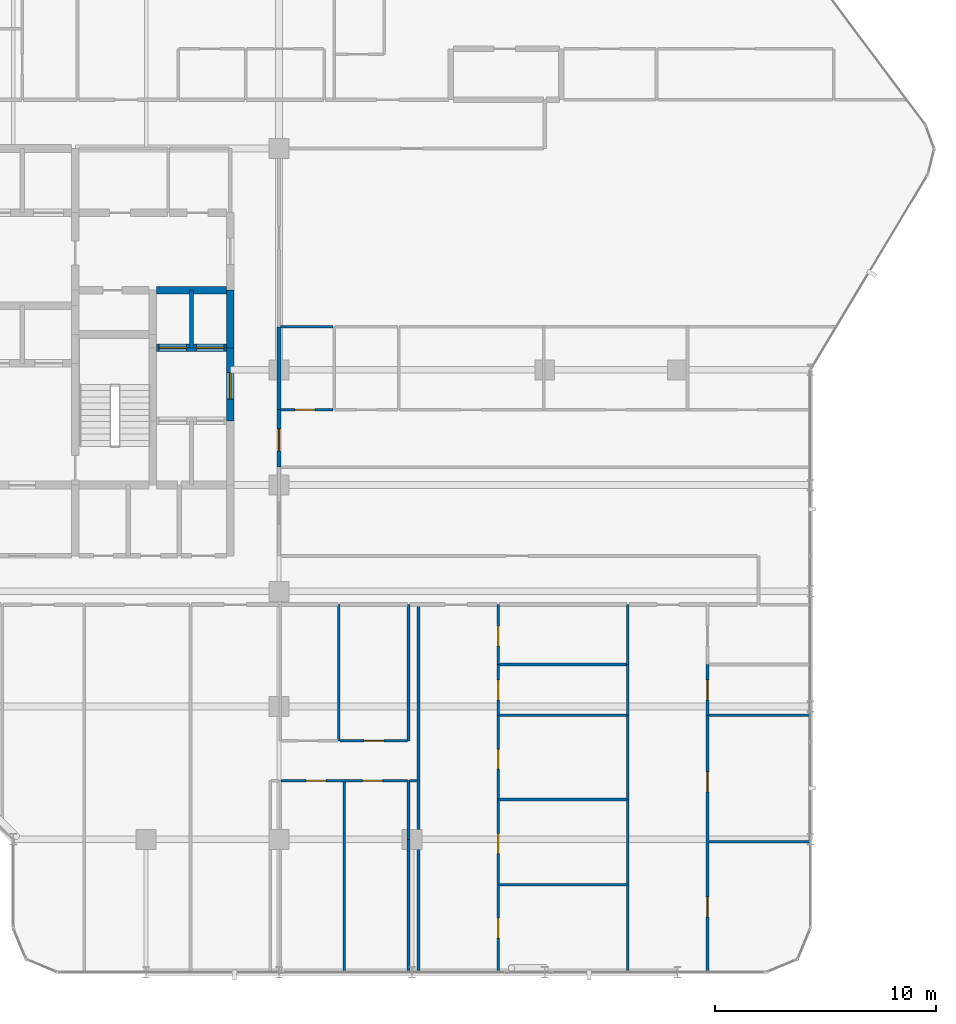
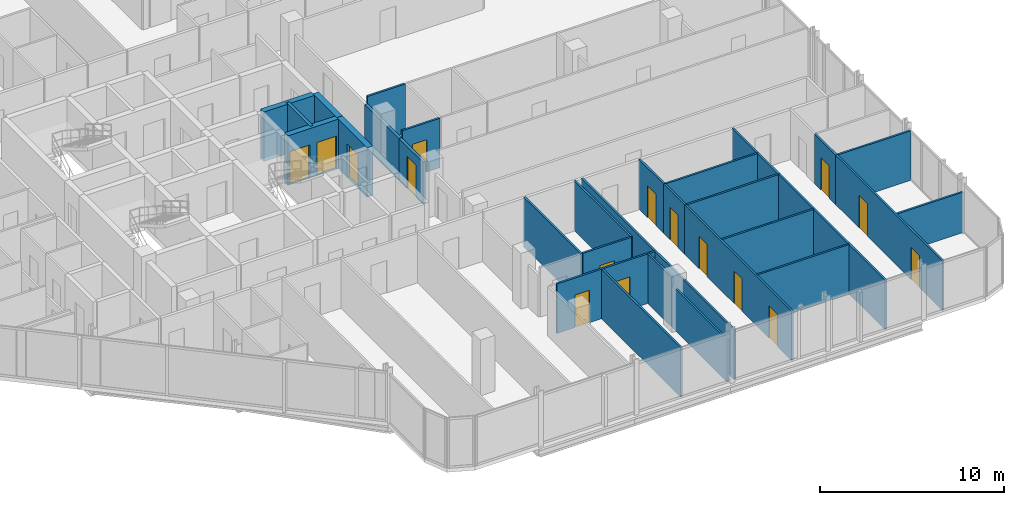
# One storey, part 27 of 31: 32 walls, 16 doors, 16 openings.
"""IFC4 building model written with IfcOpenShell, lengths in metres."""

from ifc_helpers import new_model, si_unit, direction, frame, frame_2d, origin, place, context, subcontext, project, spatial, rectangle, extrude, material, layer, layer_set, type_object, element, fill, save


model = new_model("IFC4")

# Units and contexts
model_context = context("Model", 3, precision=1e-05, world=origin(), true_north=direction((0.0, 1.0)))
body_context = subcontext(model_context, "Body", "Model", "MODEL_VIEW")
ifc_project = project(units=[si_unit("LENGTHUNIT", "METRE"), si_unit("AREAUNIT", "SQUARE_METRE"), si_unit("VOLUMEUNIT", "CUBIC_METRE"), si_unit("PLANEANGLEUNIT", "RADIAN"), si_unit("MASSUNIT", "GRAM", prefix="KILO")], contexts=[model_context])

# Site, building, storey
site_placement = place(None, origin())
site = spatial("IfcSite", under=ifc_project, at=site_placement, CompositionType="ELEMENT")
building_placement = place(site_placement, origin())
building = spatial("IfcBuilding", under=site, at=building_placement, Name="Keshet Zoharim Tower", CompositionType="ELEMENT")
storey_placement = place(building_placement, frame((0.0, 0.0, 155.699951171875)))
storey = spatial("IfcBuildingStorey", under=building, at=storey_placement, Name="L38", CompositionType="ELEMENT", Elevation=155.699951171875)

# Wall, opening, door
ifc_material_1 = material(Name="Concrete C60/75", Category="concrete")
ifc_layer_1 = layer(ifc_material_1, 0.35009765625)
ifc_layer_set_1 = layer_set([ifc_layer_1], Name="Concrete C60/75")
wall_type_1 = type_object("IfcWallType", Name="WL-CORE-350", PredefinedType="SHEAR", material=ifc_layer_set_1)
wall_1_placement = place(storey_placement, frame((30.800048828125, 25.60009765625, 0.0), z_axis=(0.0, 0.0, 1.0), x_axis=(0.0, 1.0, 0.0)))
wall_1 = element("IfcWall", 1, at=wall_1_placement, inside=storey, type_object=wall_type_1, Name="L38 Core Shear Wall 057", PredefinedType="SHEAR", context=body_context, shape_type="SweptSolid", body=[
    extrude(rectangle(XDim=3.2998046875, YDim=0.35009765625, at=frame_2d((1.64990234375, 0.0))), origin(), (0.0, 0.0, 1.0), 3.280029296875),
])
opening_1_placement = place(wall_1_placement, frame((0.97802734375, 0.0, 0.0)))
opening_1 = element("IfcOpeningElement", 2, at=opening_1_placement, cuts=wall_1, Name="Opening D-F612", PredefinedType="OPENING", context=body_context, shape_type="SweptSolid", body=[
    extrude(rectangle(XDim=1.199951171875, YDim=2.199951171875, at=frame_2d((0.60009765625, 1.10009765625))), frame((0.0, 0.18505859375, 0.0), z_axis=(0.0, -1.0, 0.0), x_axis=(1.0, 0.0, 0.0)), (0.0, 0.0, 1.0), 0.3701171875),
])
ifc_material_2 = material(Name="Hardwood Timber", Category="wood")
door_type_1 = type_object("IfcDoorType", Name="DR-FD60-120", OperationType="NOTDEFINED", PredefinedType="DOOR", material=ifc_material_2)
door_1_placement = place(opening_1_placement, origin())
door_1 = element("IfcDoor", 3, at=door_1_placement, inside=storey, type_object=door_type_1, Name="L38 East Lift Lobby Fire Door", OperationType="SINGLE_SWING_LEFT", OverallHeight=2.199951171875, OverallWidth=1.199951171875, PredefinedType="DOOR", context=body_context, shape_type="SweptSolid", body=[
    extrude(rectangle(XDim=1.199951171875, YDim=2.199951171875, at=frame_2d((0.60009765625, 1.10009765625))), frame((0.0, 0.02490234375, 0.0), z_axis=(0.0, -1.0, 0.0), x_axis=(1.0, 0.0, 0.0)), (0.0, 0.0, 1.0), 0.050048828125),
])
fill(opening_1, door_1)

# Wall
wall_2_placement = place(storey_placement, frame((30.800048828125, 28.89990234375, 0.0), z_axis=(0.0, 0.0, 1.0), x_axis=(0.0, 1.0, 0.0)))
element("IfcWall", 4, at=wall_2_placement, inside=storey, type_object=wall_type_1, Name="L38 Core Shear Wall 058", PredefinedType="SHEAR", context=body_context, shape_type="SweptSolid", body=[
    extrude(rectangle(XDim=2.60009765625, YDim=0.35009765625, at=frame_2d((1.300048828125, 0.0))), origin(), (0.0, 0.0, 1.0), 3.280029296875),
])

# Wall, openings, doors
wall_3_placement = place(storey_placement, frame((27.4599609375, 28.89990234375, 0.0), z_axis=(0.0, 0.0, 1.0), x_axis=(1.0, 0.0, 0.0)))
wall_3 = element("IfcWall", 5, at=wall_3_placement, inside=storey, type_object=wall_type_1, Name="L38 Core Shear Wall 163", PredefinedType="SHEAR", context=body_context, shape_type="SweptSolid", body=[
    extrude(rectangle(XDim=3.179931640625, YDim=0.35009765625, at=frame_2d((1.58984375, 0.0))), origin(), (0.0, 0.0, 1.0), 3.280029296875),
])
opening_2_placement = place(wall_3_placement, frame((0.1201171875, 0.0, 0.0)))
opening_2 = element("IfcOpeningElement", 6, at=opening_2_placement, cuts=wall_3, Name="Opening LD-01", PredefinedType="OPENING", context=body_context, shape_type="SweptSolid", body=[
    extrude(rectangle(XDim=1.25, YDim=2.199951171875, at=frame_2d((0.625, 1.10009765625))), frame((0.0, 0.18505859375, 0.0), z_axis=(0.0, -1.0, 0.0), x_axis=(1.0, 0.0, 0.0)), (0.0, 0.0, 1.0), 0.3701171875),
])
opening_3_placement = place(wall_3_placement, frame((1.81005859375, 0.0, 0.0)))
opening_3 = element("IfcOpeningElement", 7, at=opening_3_placement, cuts=wall_3, Name="Opening LD-01", PredefinedType="OPENING", context=body_context, shape_type="SweptSolid", body=[
    extrude(rectangle(XDim=1.25, YDim=2.199951171875, at=frame_2d((0.625, 1.10009765625))), frame((0.0, 0.18505859375, 0.0), z_axis=(0.0, -1.0, 0.0), x_axis=(1.0, 0.0, 0.0)), (0.0, 0.0, 1.0), 0.3701171875),
])
ifc_material_3 = material(Name="Steel S355", Category="steel")
door_type_2 = type_object("IfcDoorType", Name="DR-LD01-125", OperationType="DOUBLE_DOOR_SLIDING", PredefinedType="DOOR", material=ifc_material_3)
door_2_placement = place(opening_2_placement, origin())
door_2 = element("IfcDoor", 8, at=door_2_placement, inside=storey, type_object=door_type_2, Name="L38 Passenger Lift Landing Door LF-05", OperationType="DOUBLE_DOOR_SLIDING", OverallHeight=2.199951171875, OverallWidth=1.25, PredefinedType="DOOR", context=body_context, shape_type="SweptSolid", body=[
    extrude(rectangle(XDim=1.25, YDim=2.199951171875, at=frame_2d((0.625, 1.10009765625))), frame((0.0, 0.02490234375, 0.0), z_axis=(0.0, -1.0, 0.0), x_axis=(1.0, 0.0, 0.0)), (0.0, 0.0, 1.0), 0.050048828125),
])
fill(opening_2, door_2)
door_3_placement = place(opening_3_placement, origin())
door_3 = element("IfcDoor", 9, at=door_3_placement, inside=storey, type_object=door_type_2, Name="L38 Passenger Lift Landing Door LF-06", OperationType="DOUBLE_DOOR_SLIDING", OverallHeight=2.199951171875, OverallWidth=1.25, PredefinedType="DOOR", context=body_context, shape_type="SweptSolid", body=[
    extrude(rectangle(XDim=1.25, YDim=2.199951171875, at=frame_2d((0.625, 1.10009765625))), frame((0.0, 0.02490234375, 0.0), z_axis=(0.0, -1.0, 0.0), x_axis=(1.0, 0.0, 0.0)), (0.0, 0.0, 1.0), 0.050048828125),
])
fill(opening_3, door_3)

# Wall
wall_4_placement = place(storey_placement, frame((27.4599609375, 31.5, 0.0), z_axis=(0.0, 0.0, 1.0), x_axis=(1.0, 0.0, 0.0)))
element("IfcWall", 10, at=wall_4_placement, inside=storey, type_object=wall_type_1, Name="L38 Core Shear Wall 174", PredefinedType="SHEAR", context=body_context, shape_type="SweptSolid", body=[
    extrude(rectangle(XDim=3.179931640625, YDim=0.35009765625, at=frame_2d((1.58984375, 0.0))), origin(), (0.0, 0.0, 1.0), 3.280029296875),
])

# Wall, opening, door
ifc_material_4 = material(Name="Gypsum Plasterboard", Category="gypsum")
ifc_layer_2 = layer(ifc_material_4, 0.179931640625)
ifc_layer_set_2 = layer_set([ifc_layer_2], Name="Gypsum Plasterboard")
wall_type_2 = type_object("IfcWallType", Name="WL-CORR-180", PredefinedType="STANDARD", material=ifc_layer_set_2)
wall_5_placement = place(storey_placement, frame((33.0, 23.52001953125, 0.0), z_axis=(0.0, 0.0, 1.0), x_axis=(0.0, 1.0, 0.0)))
wall_5 = element("IfcWall", 11, at=wall_5_placement, inside=storey, type_object=wall_type_2, Name="L38 Interior Wall 065", PredefinedType="STANDARD", context=body_context, shape_type="SweptSolid", body=[
    extrude(rectangle(XDim=2.60009765625, YDim=0.179931640625, at=frame_2d((1.300048828125, 0.0))), origin(), (0.0, 0.0, 1.0), 2.780029296875),
])
opening_4_placement = place(wall_5_placement, frame((0.722900390625, 0.0, 0.0)))
opening_4 = element("IfcOpeningElement", 12, at=opening_4_placement, cuts=wall_5, Name="Opening D-F310", PredefinedType="OPENING", context=body_context, shape_type="SweptSolid", body=[
    extrude(rectangle(XDim=1.0, YDim=2.14990234375, at=frame_2d((0.5, 1.074951171875))), frame((0.0, 0.10009765625, 0.0), z_axis=(0.0, -1.0, 0.0), x_axis=(1.0, 0.0, 0.0)), (0.0, 0.0, 1.0), 0.199951171875),
])
door_type_3 = type_object("IfcDoorType", Name="DR-FD30-100", OperationType="NOTDEFINED", PredefinedType="DOOR", material=ifc_material_2)
door_4_placement = place(opening_4_placement, origin())
door_4 = element("IfcDoor", 13, at=door_4_placement, inside=storey, type_object=door_type_3, Name="Apartment 3810 Entrance Door", OperationType="SINGLE_SWING_RIGHT", OverallHeight=2.14990234375, OverallWidth=1.0, PredefinedType="DOOR", context=body_context, shape_type="SweptSolid", body=[
    extrude(rectangle(XDim=1.0, YDim=2.14990234375, at=frame_2d((0.5, 1.074951171875))), frame((0.0, 0.02490234375, 0.0), z_axis=(0.0, -1.0, 0.0), x_axis=(1.0, 0.0, 0.0)), (0.0, 0.0, 1.0), 0.050048828125),
])
fill(opening_4, door_4)

# Walls
wall_6_placement = place(storey_placement, frame((33.0, 26.1201171875, 0.0), z_axis=(0.0, 0.0, 1.0), x_axis=(0.0, 1.0, 0.0)))
element("IfcWall", 14, at=wall_6_placement, inside=storey, type_object=wall_type_2, Name="L38 Interior Wall 066", PredefinedType="STANDARD", context=body_context, shape_type="SweptSolid", body=[
    extrude(rectangle(XDim=3.719970703125, YDim=0.179931640625, at=frame_2d((1.85986328125, 0.0))), origin(), (0.0, 0.0, 1.0), 2.780029296875),
])
ifc_material_5 = material(Name="Concrete C50/60", Category="concrete")
ifc_layer_3 = layer(ifc_material_5, 0.199951171875)
ifc_layer_set_3 = layer_set([ifc_layer_3], Name="Concrete C50/60")
wall_type_3 = type_object("IfcWallType", Name="WL-FIRE-200", PredefinedType="STANDARD", material=ifc_layer_set_3)
wall_7_placement = place(storey_placement, frame((29.050048828125, 28.89990234375, 0.0), z_axis=(0.0, 0.0, 1.0), x_axis=(0.0, 1.0, 0.0)))
element("IfcWall", 15, at=wall_7_placement, inside=storey, type_object=wall_type_3, Name="L38 Interior Wall 054", PredefinedType="STANDARD", context=body_context, shape_type="SweptSolid", body=[
    extrude(rectangle(XDim=2.60009765625, YDim=0.199951171875, at=frame_2d((1.300048828125, 0.0))), origin(), (0.0, 0.0, 1.0), 3.280029296875),
])
ifc_layer_4 = layer(ifc_material_4, 0.1201171875)
ifc_layer_set_4 = layer_set([ifc_layer_4], Name="Gypsum Plasterboard")
wall_type_4 = type_object("IfcWallType", Name="WL-PART-120", PredefinedType="PARTITIONING", material=ifc_layer_set_4)
wall_8_placement = place(storey_placement, frame((35.949951171875, 0.7099609375, 0.0), z_axis=(0.0, 0.0, 1.0), x_axis=(0.0, 1.0, 0.0)))
element("IfcWall", 16, at=wall_8_placement, inside=storey, type_object=wall_type_4, Name="L38 Interior Wall 077", PredefinedType="PARTITIONING", context=body_context, shape_type="SweptSolid", body=[
    extrude(rectangle(XDim=8.64013671875, YDim=0.1201171875, at=frame_2d((4.320068359375, 0.0))), origin(), (0.0, 0.0, 1.0), 3.280029296875),
])
wall_9_placement = place(storey_placement, frame((38.85009765625, 0.7099609375, 0.0), z_axis=(0.0, 0.0, 1.0), x_axis=(0.0, 1.0, 0.0)))
element("IfcWall", 17, at=wall_9_placement, inside=storey, type_object=wall_type_4, Name="L38 Interior Wall 081", PredefinedType="PARTITIONING", context=body_context, shape_type="SweptSolid", body=[
    extrude(rectangle(XDim=5.989990234375, YDim=0.1201171875, at=frame_2d((2.9951171875, 0.0))), origin(), (0.0, 0.0, 1.0), 2.780029296875),
])
wall_10_placement = place(storey_placement, frame((39.300048828125, 0.7099609375, 0.0), z_axis=(0.0, 0.0, 1.0), x_axis=(0.0, 1.0, 0.0)))
element("IfcWall", 18, at=wall_10_placement, inside=storey, type_object=wall_type_4, Name="L38 Interior Wall 083", PredefinedType="PARTITIONING", context=body_context, shape_type="SweptSolid", body=[
    extrude(rectangle(XDim=16.590087890625, YDim=0.1201171875, at=frame_2d((8.294921875, 0.0))), origin(), (0.0, 0.0, 1.0), 3.280029296875),
])

# Wall, openings, doors
wall_11_placement = place(storey_placement, frame((42.89990234375, 0.7099609375, 0.0), z_axis=(0.0, 0.0, 1.0), x_axis=(0.0, 1.0, 0.0)))
wall_11 = element("IfcWall", 19, at=wall_11_placement, inside=storey, type_object=wall_type_4, Name="L38 Interior Wall 088", PredefinedType="PARTITIONING", context=body_context, shape_type="SweptSolid", body=[
    extrude(rectangle(XDim=11.590087890625, YDim=0.1201171875, at=frame_2d((5.794921875, 0.0))), origin(), (0.0, 0.0, 1.0), 3.280029296875),
])
opening_5_placement = place(wall_11_placement, frame((1.534912109375, 0.0, 0.0)))
opening_5 = element("IfcOpeningElement", 20, at=opening_5_placement, cuts=wall_11, Name="Opening D-IN90", PredefinedType="OPENING", context=body_context, shape_type="SweptSolid", body=[
    extrude(rectangle(XDim=0.89990234375, YDim=2.14990234375, at=frame_2d((0.449951171875, 1.074951171875))), frame((0.0, 0.070068359375, 0.0), z_axis=(0.0, -1.0, 0.0), x_axis=(1.0, 0.0, 0.0)), (0.0, 0.0, 1.0), 0.14013671875),
])
opening_6_placement = place(wall_11_placement, frame((5.34912109375, 0.0, 0.0)))
opening_6 = element("IfcOpeningElement", 21, at=opening_6_placement, cuts=wall_11, Name="Opening D-IN90", PredefinedType="OPENING", context=body_context, shape_type="SweptSolid", body=[
    extrude(rectangle(XDim=0.89990234375, YDim=2.14990234375, at=frame_2d((0.449951171875, 1.074951171875))), frame((0.0, 0.070068359375, 0.0), z_axis=(0.0, -1.0, 0.0), x_axis=(1.0, 0.0, 0.0)), (0.0, 0.0, 1.0), 0.14013671875),
])
opening_7_placement = place(wall_11_placement, frame((9.158935546875, 0.0, 0.0)))
opening_7 = element("IfcOpeningElement", 22, at=opening_7_placement, cuts=wall_11, Name="Opening D-IN90", PredefinedType="OPENING", context=body_context, shape_type="SweptSolid", body=[
    extrude(rectangle(XDim=0.89990234375, YDim=2.14990234375, at=frame_2d((0.449951171875, 1.074951171875))), frame((0.0, 0.070068359375, 0.0), z_axis=(0.0, -1.0, 0.0), x_axis=(1.0, 0.0, 0.0)), (0.0, 0.0, 1.0), 0.14013671875),
])
door_type_4 = type_object("IfcDoorType", Name="DR-INT-090", OperationType="NOTDEFINED", PredefinedType="DOOR", material=ifc_material_2)
door_5_placement = place(opening_5_placement, origin())
door_5 = element("IfcDoor", 23, at=door_5_placement, inside=storey, type_object=door_type_4, Name="Apartment 3803 Bedroom 1 Door", OperationType="SINGLE_SWING_RIGHT", OverallHeight=2.14990234375, OverallWidth=0.89990234375, PredefinedType="DOOR", context=body_context, shape_type="SweptSolid", body=[
    extrude(rectangle(XDim=0.89990234375, YDim=2.14990234375, at=frame_2d((0.449951171875, 1.074951171875))), frame((0.0, 0.02490234375, 0.0), z_axis=(0.0, -1.0, 0.0), x_axis=(1.0, 0.0, 0.0)), (0.0, 0.0, 1.0), 0.050048828125),
])
fill(opening_5, door_5)
door_6_placement = place(opening_6_placement, origin())
door_6 = element("IfcDoor", 24, at=door_6_placement, inside=storey, type_object=door_type_4, Name="Apartment 3803 Bedroom 2 Door", OperationType="SINGLE_SWING_LEFT", OverallHeight=2.14990234375, OverallWidth=0.89990234375, PredefinedType="DOOR", context=body_context, shape_type="SweptSolid", body=[
    extrude(rectangle(XDim=0.89990234375, YDim=2.14990234375, at=frame_2d((0.449951171875, 1.074951171875))), frame((0.0, 0.02490234375, 0.0), z_axis=(0.0, -1.0, 0.0), x_axis=(1.0, 0.0, 0.0)), (0.0, 0.0, 1.0), 0.050048828125),
])
fill(opening_6, door_6)
door_7_placement = place(opening_7_placement, origin())
door_7 = element("IfcDoor", 25, at=door_7_placement, inside=storey, type_object=door_type_4, Name="Apartment 3803 Bedroom 3 Door", OperationType="SINGLE_SWING_RIGHT", OverallHeight=2.14990234375, OverallWidth=0.89990234375, PredefinedType="DOOR", context=body_context, shape_type="SweptSolid", body=[
    extrude(rectangle(XDim=0.89990234375, YDim=2.14990234375, at=frame_2d((0.449951171875, 1.074951171875))), frame((0.0, 0.02490234375, 0.0), z_axis=(0.0, -1.0, 0.0), x_axis=(1.0, 0.0, 0.0)), (0.0, 0.0, 1.0), 0.050048828125),
])
fill(opening_7, door_7)

# Wall, opening, door
wall_12_placement = place(storey_placement, frame((42.89990234375, 12.300048828125, 0.0), z_axis=(0.0, 0.0, 1.0), x_axis=(0.0, 1.0, 0.0)))
wall_12 = element("IfcWall", 26, at=wall_12_placement, inside=storey, type_object=wall_type_4, Name="L38 Interior Wall 089", PredefinedType="PARTITIONING", context=body_context, shape_type="SweptSolid", body=[
    extrude(rectangle(XDim=2.300048828125, YDim=0.1201171875, at=frame_2d((1.14990234375, 0.0))), origin(), (0.0, 0.0, 1.0), 3.280029296875),
])
opening_8_placement = place(wall_12_placement, frame((0.699951171875, 0.0, 0.0)))
opening_8 = element("IfcOpeningElement", 27, at=opening_8_placement, cuts=wall_12, Name="Opening D-IN90", PredefinedType="OPENING", context=body_context, shape_type="SweptSolid", body=[
    extrude(rectangle(XDim=0.89990234375, YDim=2.14990234375, at=frame_2d((0.449951171875, 1.074951171875))), frame((0.0, 0.070068359375, 0.0), z_axis=(0.0, -1.0, 0.0), x_axis=(1.0, 0.0, 0.0)), (0.0, 0.0, 1.0), 0.14013671875),
])
door_8_placement = place(opening_8_placement, origin())
door_8 = element("IfcDoor", 28, at=door_8_placement, inside=storey, type_object=door_type_4, Name="Apartment 3803 Kitchen Door", OperationType="SINGLE_SWING_LEFT", OverallHeight=2.14990234375, OverallWidth=0.89990234375, PredefinedType="DOOR", context=body_context, shape_type="SweptSolid", body=[
    extrude(rectangle(XDim=0.89990234375, YDim=2.14990234375, at=frame_2d((0.449951171875, 1.074951171875))), frame((0.0, 0.02490234375, 0.0), z_axis=(0.0, -1.0, 0.0), x_axis=(1.0, 0.0, 0.0)), (0.0, 0.0, 1.0), 0.050048828125),
])
fill(opening_8, door_8)

# Walls
wall_13_placement = place(storey_placement, frame((48.75, 0.7099609375, 0.0), z_axis=(0.0, 0.0, 1.0), x_axis=(0.0, 1.0, 0.0)))
element("IfcWall", 29, at=wall_13_placement, inside=storey, type_object=wall_type_4, Name="L38 Interior Wall 096", PredefinedType="PARTITIONING", context=body_context, shape_type="SweptSolid", body=[
    extrude(rectangle(XDim=11.590087890625, YDim=0.1201171875, at=frame_2d((5.794921875, 0.0))), origin(), (0.0, 0.0, 1.0), 3.280029296875),
])
wall_14_placement = place(storey_placement, frame((48.75, 12.300048828125, 0.0), z_axis=(0.0, 0.0, 1.0), x_axis=(0.0, 1.0, 0.0)))
element("IfcWall", 30, at=wall_14_placement, inside=storey, type_object=wall_type_4, Name="L38 Interior Wall 097", PredefinedType="PARTITIONING", context=body_context, shape_type="SweptSolid", body=[
    extrude(rectangle(XDim=2.300048828125, YDim=0.1201171875, at=frame_2d((1.14990234375, 0.0))), origin(), (0.0, 0.0, 1.0), 3.280029296875),
])

# Wall, openings, doors
wall_15_placement = place(storey_placement, frame((52.35009765625, 0.7099609375, 0.0), z_axis=(0.0, 0.0, 1.0), x_axis=(0.0, 1.0, 0.0)))
wall_15 = element("IfcWall", 31, at=wall_15_placement, inside=storey, type_object=wall_type_4, Name="L38 Interior Wall 103", PredefinedType="PARTITIONING", context=body_context, shape_type="SweptSolid", body=[
    extrude(rectangle(XDim=11.590087890625, YDim=0.1201171875, at=frame_2d((5.794921875, 0.0))), origin(), (0.0, 0.0, 1.0), 3.280029296875),
])
opening_9_placement = place(wall_15_placement, frame((2.489990234375, 0.0, 0.0)))
opening_9 = element("IfcOpeningElement", 32, at=opening_9_placement, cuts=wall_15, Name="Opening D-IN90", PredefinedType="OPENING", context=body_context, shape_type="SweptSolid", body=[
    extrude(rectangle(XDim=0.89990234375, YDim=2.14990234375, at=frame_2d((0.449951171875, 1.074951171875))), frame((0.0, 0.070068359375, 0.0), z_axis=(0.0, -1.0, 0.0), x_axis=(1.0, 0.0, 0.0)), (0.0, 0.0, 1.0), 0.14013671875),
])
opening_10_placement = place(wall_15_placement, frame((8.133056640625, 0.0, 0.0)))
opening_10 = element("IfcOpeningElement", 33, at=opening_10_placement, cuts=wall_15, Name="Opening D-IN90", PredefinedType="OPENING", context=body_context, shape_type="SweptSolid", body=[
    extrude(rectangle(XDim=0.89990234375, YDim=2.14990234375, at=frame_2d((0.449951171875, 1.074951171875))), frame((0.0, 0.070068359375, 0.0), z_axis=(0.0, -1.0, 0.0), x_axis=(1.0, 0.0, 0.0)), (0.0, 0.0, 1.0), 0.14013671875),
])
door_9_placement = place(opening_9_placement, origin())
door_9 = element("IfcDoor", 34, at=door_9_placement, inside=storey, type_object=door_type_4, Name="Apartment 3804 Bedroom 1 Door", OperationType="SINGLE_SWING_LEFT", OverallHeight=2.14990234375, OverallWidth=0.89990234375, PredefinedType="DOOR", context=body_context, shape_type="SweptSolid", body=[
    extrude(rectangle(XDim=0.89990234375, YDim=2.14990234375, at=frame_2d((0.449951171875, 1.074951171875))), frame((0.0, 0.02490234375, 0.0), z_axis=(0.0, -1.0, 0.0), x_axis=(1.0, 0.0, 0.0)), (0.0, 0.0, 1.0), 0.050048828125),
])
fill(opening_9, door_9)
door_10_placement = place(opening_10_placement, origin())
door_10 = element("IfcDoor", 35, at=door_10_placement, inside=storey, type_object=door_type_4, Name="Apartment 3804 Bedroom 2 Door", OperationType="SINGLE_SWING_RIGHT", OverallHeight=2.14990234375, OverallWidth=0.89990234375, PredefinedType="DOOR", context=body_context, shape_type="SweptSolid", body=[
    extrude(rectangle(XDim=0.89990234375, YDim=2.14990234375, at=frame_2d((0.449951171875, 1.074951171875))), frame((0.0, 0.02490234375, 0.0), z_axis=(0.0, -1.0, 0.0), x_axis=(1.0, 0.0, 0.0)), (0.0, 0.0, 1.0), 0.050048828125),
])
fill(opening_10, door_10)

# Wall, opening, door
wall_16_placement = place(storey_placement, frame((52.35009765625, 12.300048828125, 0.0), z_axis=(0.0, 0.0, 1.0), x_axis=(0.0, 1.0, 0.0)))
wall_16 = element("IfcWall", 36, at=wall_16_placement, inside=storey, type_object=wall_type_4, Name="L38 Interior Wall 104", PredefinedType="PARTITIONING", context=body_context, shape_type="SweptSolid", body=[
    extrude(rectangle(XDim=2.300048828125, YDim=0.1201171875, at=frame_2d((1.14990234375, 0.0))), origin(), (0.0, 0.0, 1.0), 3.280029296875),
])
opening_11_placement = place(wall_16_placement, frame((0.699951171875, 0.0, 0.0)))
opening_11 = element("IfcOpeningElement", 37, at=opening_11_placement, cuts=wall_16, Name="Opening D-IN90", PredefinedType="OPENING", context=body_context, shape_type="SweptSolid", body=[
    extrude(rectangle(XDim=0.89990234375, YDim=2.14990234375, at=frame_2d((0.449951171875, 1.074951171875))), frame((0.0, 0.070068359375, 0.0), z_axis=(0.0, -1.0, 0.0), x_axis=(1.0, 0.0, 0.0)), (0.0, 0.0, 1.0), 0.14013671875),
])
door_11_placement = place(opening_11_placement, origin())
door_11 = element("IfcDoor", 38, at=door_11_placement, inside=storey, type_object=door_type_4, Name="Apartment 3804 Kitchen Door", OperationType="SINGLE_SWING_LEFT", OverallHeight=2.14990234375, OverallWidth=0.89990234375, PredefinedType="DOOR", context=body_context, shape_type="SweptSolid", body=[
    extrude(rectangle(XDim=0.89990234375, YDim=2.14990234375, at=frame_2d((0.449951171875, 1.074951171875))), frame((0.0, 0.02490234375, 0.0), z_axis=(0.0, -1.0, 0.0), x_axis=(1.0, 0.0, 0.0)), (0.0, 0.0, 1.0), 0.050048828125),
])
fill(opening_11, door_11)

# Walls
wall_17_placement = place(storey_placement, frame((42.945068359375, 4.64990234375, 0.0), z_axis=(0.0, 0.0, 1.0), x_axis=(1.0, 0.0, 0.0)))
element("IfcWall", 39, at=wall_17_placement, inside=storey, type_object=wall_type_4, Name="L38 Interior Wall 108", PredefinedType="PARTITIONING", context=body_context, shape_type="SweptSolid", body=[
    extrude(rectangle(XDim=5.780029296875, YDim=0.1201171875, at=frame_2d((2.89013671875, 0.0))), origin(), (0.0, 0.0, 1.0), 3.280029296875),
])
wall_18_placement = place(storey_placement, frame((52.4150390625, 6.60009765625, 0.0), z_axis=(0.0, 0.0, 1.0), x_axis=(1.0, 0.0, 0.0)))
element("IfcWall", 40, at=wall_18_placement, inside=storey, type_object=wall_type_4, Name="L38 Interior Wall 109", PredefinedType="PARTITIONING", context=body_context, shape_type="SweptSolid", body=[
    extrude(rectangle(XDim=4.574951171875, YDim=0.1201171875, at=frame_2d((2.28759765625, 0.0))), origin(), (0.0, 0.0, 1.0), 2.679931640625),
])
wall_19_placement = place(storey_placement, frame((42.945068359375, 8.5, 0.0), z_axis=(0.0, 0.0, 1.0), x_axis=(1.0, 0.0, 0.0)))
element("IfcWall", 41, at=wall_19_placement, inside=storey, type_object=wall_type_4, Name="L38 Interior Wall 110", PredefinedType="PARTITIONING", context=body_context, shape_type="SweptSolid", body=[
    extrude(rectangle(XDim=5.780029296875, YDim=0.1201171875, at=frame_2d((2.89013671875, 0.0))), origin(), (0.0, 0.0, 1.0), 3.280029296875),
])

# Wall, openings, doors
wall_20_placement = place(storey_placement, frame((33.094970703125, 9.35009765625, 0.0), z_axis=(0.0, 0.0, 1.0), x_axis=(1.0, 0.0, 0.0)))
wall_20 = element("IfcWall", 42, at=wall_20_placement, inside=storey, type_object=wall_type_4, Name="L38 Interior Wall 112", PredefinedType="PARTITIONING", context=body_context, shape_type="SweptSolid", body=[
    extrude(rectangle(XDim=5.7099609375, YDim=0.1201171875, at=frame_2d((2.85498046875, 0.0))), origin(), (0.0, 0.0, 1.0), 3.280029296875),
])
opening_12_placement = place(wall_20_placement, frame((1.1298828125, 0.0, 0.0)))
opening_12 = element("IfcOpeningElement", 43, at=opening_12_placement, cuts=wall_20, Name="Opening D-IN90", PredefinedType="OPENING", context=body_context, shape_type="SweptSolid", body=[
    extrude(rectangle(XDim=0.89990234375, YDim=2.14990234375, at=frame_2d((0.449951171875, 1.074951171875))), frame((0.0, 0.070068359375, 0.0), z_axis=(0.0, -1.0, 0.0), x_axis=(1.0, 0.0, 0.0)), (0.0, 0.0, 1.0), 0.14013671875),
])
opening_13_placement = place(wall_20_placement, frame((3.679931640625, 0.0, 0.0)))
opening_13 = element("IfcOpeningElement", 44, at=opening_13_placement, cuts=wall_20, Name="Opening D-IN90", PredefinedType="OPENING", context=body_context, shape_type="SweptSolid", body=[
    extrude(rectangle(XDim=0.89990234375, YDim=2.14990234375, at=frame_2d((0.449951171875, 1.074951171875))), frame((0.0, 0.070068359375, 0.0), z_axis=(0.0, -1.0, 0.0), x_axis=(1.0, 0.0, 0.0)), (0.0, 0.0, 1.0), 0.14013671875),
])
door_12_placement = place(opening_12_placement, origin())
door_12 = element("IfcDoor", 45, at=door_12_placement, inside=storey, type_object=door_type_4, Name="Apartment 3802 Bedroom 1 Door", OperationType="SINGLE_SWING_LEFT", OverallHeight=2.14990234375, OverallWidth=0.89990234375, PredefinedType="DOOR", context=body_context, shape_type="SweptSolid", body=[
    extrude(rectangle(XDim=0.89990234375, YDim=2.14990234375, at=frame_2d((0.449951171875, 1.074951171875))), frame((0.0, 0.02490234375, 0.0), z_axis=(0.0, -1.0, 0.0), x_axis=(1.0, 0.0, 0.0)), (0.0, 0.0, 1.0), 0.050048828125),
])
fill(opening_12, door_12)
door_13_placement = place(opening_13_placement, origin())
door_13 = element("IfcDoor", 46, at=door_13_placement, inside=storey, type_object=door_type_4, Name="Apartment 3802 Bedroom 2 Door", OperationType="SINGLE_SWING_RIGHT", OverallHeight=2.14990234375, OverallWidth=0.89990234375, PredefinedType="DOOR", context=body_context, shape_type="SweptSolid", body=[
    extrude(rectangle(XDim=0.89990234375, YDim=2.14990234375, at=frame_2d((0.449951171875, 1.074951171875))), frame((0.0, 0.02490234375, 0.0), z_axis=(0.0, -1.0, 0.0), x_axis=(1.0, 0.0, 0.0)), (0.0, 0.0, 1.0), 0.050048828125),
])
fill(opening_13, door_13)

# Walls
wall_21_placement = place(storey_placement, frame((38.89501953125, 9.35009765625, 0.0), z_axis=(0.0, 0.0, 1.0), x_axis=(1.0, 0.0, 0.0)))
element("IfcWall", 47, at=wall_21_placement, inside=storey, type_object=wall_type_4, Name="L38 Interior Wall 113", PredefinedType="PARTITIONING", context=body_context, shape_type="SweptSolid", body=[
    extrude(rectangle(XDim=0.35986328125, YDim=0.1201171875, at=frame_2d((0.179931640625, 0.0))), origin(), (0.0, 0.0, 1.0), 3.280029296875),
])
wall_22_placement = place(storey_placement, frame((42.945068359375, 12.300048828125, 0.0), z_axis=(0.0, 0.0, 1.0), x_axis=(1.0, 0.0, 0.0)))
element("IfcWall", 48, at=wall_22_placement, inside=storey, type_object=wall_type_4, Name="L38 Interior Wall 117", PredefinedType="PARTITIONING", context=body_context, shape_type="SweptSolid", body=[
    extrude(rectangle(XDim=5.780029296875, YDim=0.1201171875, at=frame_2d((2.89013671875, 0.0))), origin(), (0.0, 0.0, 1.0), 3.280029296875),
])
wall_23_placement = place(storey_placement, frame((52.4150390625, 12.300048828125, 0.0), z_axis=(0.0, 0.0, 1.0), x_axis=(1.0, 0.0, 0.0)))
element("IfcWall", 49, at=wall_23_placement, inside=storey, type_object=wall_type_4, Name="L38 Interior Wall 118", PredefinedType="PARTITIONING", context=body_context, shape_type="SweptSolid", body=[
    extrude(rectangle(XDim=4.574951171875, YDim=0.1201171875, at=frame_2d((2.28759765625, 0.0))), origin(), (0.0, 0.0, 1.0), 3.280029296875),
])

# Wall, opening, door
wall_24_placement = place(storey_placement, frame((33.074951171875, 26.10009765625, 0.0), z_axis=(0.0, 0.0, 1.0), x_axis=(1.0, 0.0, 0.0)))
wall_24 = element("IfcWall", 50, at=wall_24_placement, inside=storey, type_object=wall_type_4, Name="L38 Interior Wall 155", PredefinedType="PARTITIONING", context=body_context, shape_type="SweptSolid", body=[
    extrude(rectangle(XDim=2.364013671875, YDim=0.1201171875, at=frame_2d((1.18212890625, 0.0))), origin(), (0.0, 0.0, 1.0), 3.280029296875),
])
opening_14_placement = place(wall_24_placement, frame((0.64111328125, 0.0, 0.0)))
opening_14 = element("IfcOpeningElement", 51, at=opening_14_placement, cuts=wall_24, Name="Opening D-IN90", PredefinedType="OPENING", context=body_context, shape_type="SweptSolid", body=[
    extrude(rectangle(XDim=0.89990234375, YDim=2.14990234375, at=frame_2d((0.449951171875, 1.074951171875))), frame((0.0, 0.070068359375, 0.0), z_axis=(0.0, -1.0, 0.0), x_axis=(1.0, 0.0, 0.0)), (0.0, 0.0, 1.0), 0.14013671875),
])
door_14_placement = place(opening_14_placement, origin())
door_14 = element("IfcDoor", 52, at=door_14_placement, inside=storey, type_object=door_type_4, Name="Apartment 3810 Kitchen Door", OperationType="SINGLE_SWING_RIGHT", OverallHeight=2.14990234375, OverallWidth=0.89990234375, PredefinedType="DOOR", context=body_context, shape_type="SweptSolid", body=[
    extrude(rectangle(XDim=0.89990234375, YDim=2.14990234375, at=frame_2d((0.449951171875, 1.074951171875))), frame((0.0, 0.02490234375, 0.0), z_axis=(0.0, -1.0, 0.0), x_axis=(1.0, 0.0, 0.0)), (0.0, 0.0, 1.0), 0.050048828125),
])
fill(opening_14, door_14)

# Walls
wall_25_placement = place(storey_placement, frame((33.074951171875, 29.85009765625, 0.0), z_axis=(0.0, 0.0, 1.0), x_axis=(1.0, 0.0, 0.0)))
element("IfcWall", 53, at=wall_25_placement, inside=storey, type_object=wall_type_4, Name="L38 Interior Wall 166", PredefinedType="PARTITIONING", context=body_context, shape_type="SweptSolid", body=[
    extrude(rectangle(XDim=2.364013671875, YDim=0.1201171875, at=frame_2d((1.18212890625, 0.0))), origin(), (0.0, 0.0, 1.0), 3.280029296875),
])
wall_26_placement = place(storey_placement, frame((38.85009765625, 6.699951171875, 0.0), z_axis=(0.0, 0.0, 1.0), x_axis=(0.0, 1.0, 0.0)))
element("IfcWall", 54, at=wall_26_placement, inside=storey, type_object=wall_type_4, Name="L38 Interior Wall 081 Part 2", PredefinedType="PARTITIONING", context=body_context, shape_type="SweptSolid", body=[
    extrude(rectangle(XDim=2.650146484375, YDim=0.1201171875, at=frame_2d((1.3251953125, 0.0))), origin(), (0.0, 0.0, 1.0), 3.280029296875),
])
ifc_layer_5 = layer(ifc_material_4, 0.1201171875)
ifc_layer_set_5 = layer_set([ifc_layer_5], Name="Gypsum Plasterboard")
wall_type_5 = type_object("IfcWallType", Name="WL-WET-120", PredefinedType="PARTITIONING", material=ifc_layer_set_5)
for number, where, z_axis, x_axis, name in (
    (55, (35.699951171875, 11.14990234375, 0.0), (0.0, 0.0, 1.0), (0.0, 1.0, 0.0), "L38 Interior Wall 076"),
    (56, (38.85009765625, 11.14990234375, 0.0), (0.0, 0.0, 1.0), (0.0, 1.0, 0.0), "L38 Interior Wall 082"),
):
    element("IfcWall", number, at=place(storey_placement, frame(where, z_axis=z_axis, x_axis=x_axis)), inside=storey, type_object=wall_type_5, Name=name, PredefinedType="PARTITIONING", context=body_context, shape_type="SweptSolid", body=[
        extrude(rectangle(XDim=6.150146484375, YDim=0.1201171875, at=frame_2d((3.0751953125, 0.0))), origin(), (0.0, 0.0, 1.0), 3.280029296875),
    ])

# Wall, opening, door
wall_27_placement = place(storey_placement, frame((42.89990234375, 14.60009765625, 0.0), z_axis=(0.0, 0.0, 1.0), x_axis=(0.0, 1.0, 0.0)))
wall_27 = element("IfcWall", 57, at=wall_27_placement, inside=storey, type_object=wall_type_5, Name="L38 Interior Wall 090", PredefinedType="PARTITIONING", context=body_context, shape_type="SweptSolid", body=[
    extrude(rectangle(XDim=2.699951171875, YDim=0.1201171875, at=frame_2d((1.35009765625, 0.0))), origin(), (0.0, 0.0, 1.0), 3.280029296875),
])
opening_15_placement = place(wall_27_placement, frame((0.827880859375, 0.0, 0.0)))
opening_15 = element("IfcOpeningElement", 58, at=opening_15_placement, cuts=wall_27, Name="Opening D-WT90", PredefinedType="OPENING", context=body_context, shape_type="SweptSolid", body=[
    extrude(rectangle(XDim=0.89990234375, YDim=2.10009765625, at=frame_2d((0.449951171875, 1.050048828125))), frame((0.0, 0.070068359375, 0.0), z_axis=(0.0, -1.0, 0.0), x_axis=(1.0, 0.0, 0.0)), (0.0, 0.0, 1.0), 0.14013671875),
])
door_type_5 = type_object("IfcDoorType", Name="DR-WET-090", OperationType="NOTDEFINED", PredefinedType="DOOR", material=ifc_material_2)
door_15_placement = place(opening_15_placement, origin())
door_15 = element("IfcDoor", 59, at=door_15_placement, inside=storey, type_object=door_type_5, Name="Apartment 3803 Bathroom Door", OperationType="SINGLE_SWING_RIGHT", OverallHeight=2.10009765625, OverallWidth=0.89990234375, PredefinedType="DOOR", context=body_context, shape_type="SweptSolid", body=[
    extrude(rectangle(XDim=0.89990234375, YDim=2.10009765625, at=frame_2d((0.449951171875, 1.050048828125))), frame((0.0, 0.02490234375, 0.0), z_axis=(0.0, -1.0, 0.0), x_axis=(1.0, 0.0, 0.0)), (0.0, 0.0, 1.0), 0.050048828125),
])
fill(opening_15, door_15)

# Wall
wall_28_placement = place(storey_placement, frame((48.75, 14.60009765625, 0.0), z_axis=(0.0, 0.0, 1.0), x_axis=(0.0, 1.0, 0.0)))
element("IfcWall", 60, at=wall_28_placement, inside=storey, type_object=wall_type_5, Name="L38 Interior Wall 098", PredefinedType="PARTITIONING", context=body_context, shape_type="SweptSolid", body=[
    extrude(rectangle(XDim=2.699951171875, YDim=0.1201171875, at=frame_2d((1.35009765625, 0.0))), origin(), (0.0, 0.0, 1.0), 3.280029296875),
])

# Wall, opening, door
wall_29_placement = place(storey_placement, frame((35.762939453125, 11.14990234375, 0.0), z_axis=(0.0, 0.0, 1.0), x_axis=(1.0, 0.0, 0.0)))
wall_29 = element("IfcWall", 61, at=wall_29_placement, inside=storey, type_object=wall_type_5, Name="L38 Interior Wall 115", PredefinedType="PARTITIONING", context=body_context, shape_type="SweptSolid", body=[
    extrude(rectangle(XDim=3.0419921875, YDim=0.1201171875, at=frame_2d((1.52099609375, 0.0))), origin(), (0.0, 0.0, 1.0), 3.280029296875),
])
opening_16_placement = place(wall_29_placement, frame((1.071044921875, 0.0, 0.0)))
opening_16 = element("IfcOpeningElement", 62, at=opening_16_placement, cuts=wall_29, Name="Opening D-WT90", PredefinedType="OPENING", context=body_context, shape_type="SweptSolid", body=[
    extrude(rectangle(XDim=0.89990234375, YDim=2.10009765625, at=frame_2d((0.449951171875, 1.050048828125))), frame((0.0, 0.070068359375, 0.0), z_axis=(0.0, -1.0, 0.0), x_axis=(1.0, 0.0, 0.0)), (0.0, 0.0, 1.0), 0.14013671875),
])
door_16_placement = place(opening_16_placement, origin())
door_16 = element("IfcDoor", 63, at=door_16_placement, inside=storey, type_object=door_type_5, Name="Apartment 3802 Bathroom Door", OperationType="SINGLE_SWING_RIGHT", OverallHeight=2.10009765625, OverallWidth=0.89990234375, PredefinedType="DOOR", context=body_context, shape_type="SweptSolid", body=[
    extrude(rectangle(XDim=0.89990234375, YDim=2.10009765625, at=frame_2d((0.449951171875, 1.050048828125))), frame((0.0, 0.02490234375, 0.0), z_axis=(0.0, -1.0, 0.0), x_axis=(1.0, 0.0, 0.0)), (0.0, 0.0, 1.0), 0.050048828125),
])
fill(opening_16, door_16)

# Wall
wall_30_placement = place(storey_placement, frame((42.945068359375, 14.60009765625, 0.0), z_axis=(0.0, 0.0, 1.0), x_axis=(1.0, 0.0, 0.0)))
element("IfcWall", 64, at=wall_30_placement, inside=storey, type_object=wall_type_5, Name="L38 Interior Wall 120", PredefinedType="PARTITIONING", context=body_context, shape_type="SweptSolid", body=[
    extrude(rectangle(XDim=5.780029296875, YDim=0.1201171875, at=frame_2d((2.89013671875, 0.0))), origin(), (0.0, 0.0, 1.0), 3.280029296875),
])

save(model, "model.ifc")
